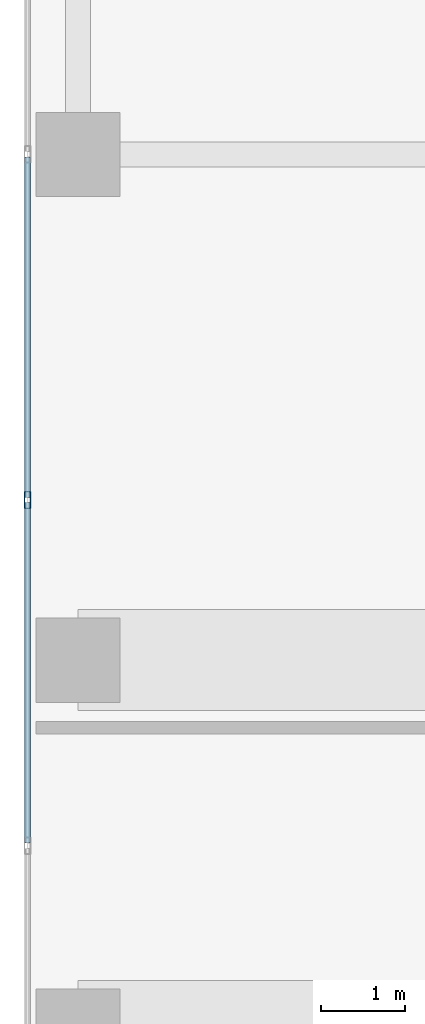
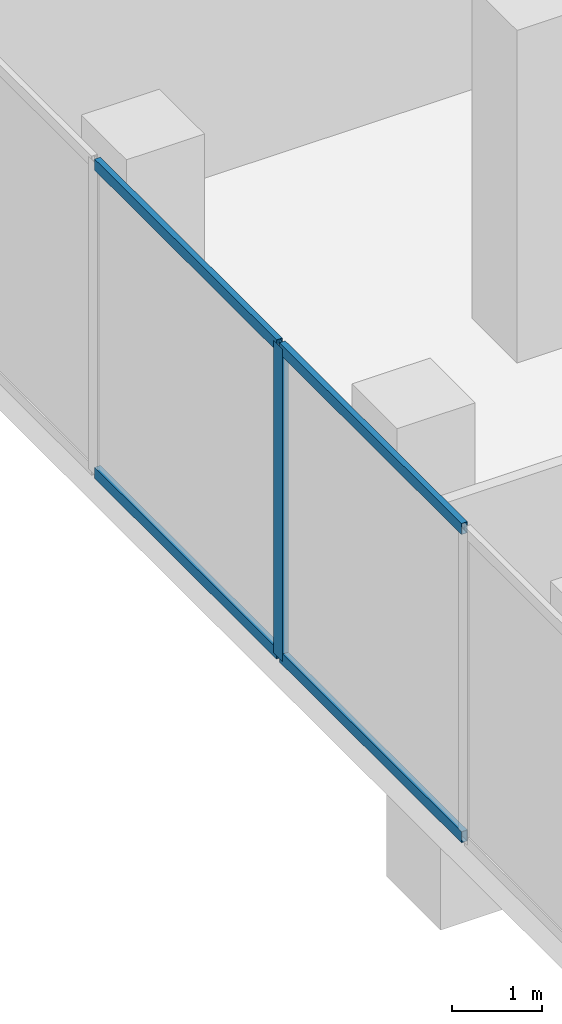
# One storey, part 6 of 24: 5 members, 1 element without a shape of its own.
"""IFC4 building model written with IfcOpenShell, lengths in metres."""

from ifc_helpers import new_model, si_unit, direction, frame, origin, origin_2d, place, context, subcontext, project, spatial, hollow_rectangle, extrude, material, layer, layer_set, material_profile, profile_set, type_object, element, aggregate, save


model = new_model("IFC4")

# Units and contexts
model_context = context("Model", 3, precision=1e-05, world=origin(), true_north=direction((0.0, 1.0)))
body_context = subcontext(model_context, "Body", "Model", "MODEL_VIEW")
ifc_project = project(units=[si_unit("LENGTHUNIT", "METRE"), si_unit("AREAUNIT", "SQUARE_METRE"), si_unit("VOLUMEUNIT", "CUBIC_METRE"), si_unit("PLANEANGLEUNIT", "RADIAN"), si_unit("MASSUNIT", "GRAM", prefix="KILO")], contexts=[model_context])

# Site, building, storey
site_placement = place(None, origin())
site = spatial("IfcSite", under=ifc_project, at=site_placement, CompositionType="ELEMENT")
building_placement = place(site_placement, origin())
building = spatial("IfcBuilding", under=site, at=building_placement, Name="Catumbela Crestline Tower", CompositionType="ELEMENT")
storey_placement = place(building_placement, frame((0.0, 0.0, 21.3)))
storey = spatial("IfcBuildingStorey", under=building, at=storey_placement, Name="L04", CompositionType="ELEMENT", Elevation=21.3)

# Curtain wall, members
ifc_material = material(Name="Aluminium alloy AW-6060-T66", Category="aluminium")
ifc_layer = layer(ifc_material, 0.18, Name="Aluminium alloy AW-6060-T66")
ifc_layer_set = layer_set([ifc_layer], Name="Aluminium alloy AW-6060-T66")
curtain_wall_type = type_object("IfcCurtainWallType", Name="CWS-POD", PredefinedType="USERDEFINED", material=ifc_layer_set)
curtain_wall_placement = place(storey_placement, origin())
curtain_wall = element("IfcCurtainWall", 1, at=curtain_wall_placement, inside=storey, type_object=curtain_wall_type, Name="L04 Stick Curtain Wall CW-L04-E9S1", ObjectType="STICK", PredefinedType="USERDEFINED")
ifc_material_profile_1 = material_profile(ifc_material, hollow_rectangle(XDim=0.075, YDim=0.2, WallThickness=0.005, at=origin_2d()), Name="ALU 200x75x5")
ifc_profile_set_1 = profile_set([ifc_material_profile_1], Name="Aluminium alloy AW-6060-T66")
member_type_1 = type_object("IfcMemberType", Name="MUL-200X75", PredefinedType="MULLION", material=ifc_profile_set_1)
member_1_placement = place(storey_placement, frame((0.0, 19.9, 0.0), z_axis=(0.0, 0.0, 1.0), x_axis=(1.0, 0.0, 0.0)))
member_1 = element("IfcMember", 2, at=member_1_placement, type_object=member_type_1, Name="CWS-POD mullion 7", PredefinedType="MULLION", context=body_context, shape_type="SweptSolid", body=[
    extrude(hollow_rectangle(XDim=0.075, YDim=0.2, WallThickness=0.005, at=origin_2d()), origin(), (0.0, 0.0, 1.0), 4.23),
])
ifc_material_profile_2 = material_profile(ifc_material, hollow_rectangle(XDim=0.075, YDim=0.15, WallThickness=0.0045, at=origin_2d()), Name="ALU 150x75x4.5")
ifc_profile_set_2 = profile_set([ifc_material_profile_2], Name="Aluminium alloy AW-6060-T66")
member_type_2 = type_object("IfcMemberType", Name="TRN-150X75", PredefinedType="USERDEFINED", material=ifc_profile_set_2)
member_2_placement = place(storey_placement, frame((0.0, 23.9675, 0.03), z_axis=(0.0, -1.0, 0.0), x_axis=(1.0, 0.0, 0.0)))
member_2 = element("IfcMember", 3, at=member_2_placement, type_object=member_type_2, Name="CWS-POD transom 6.1", ObjectType="TRANSOM", PredefinedType="USERDEFINED", context=body_context, shape_type="SweptSolid", body=[
    extrude(hollow_rectangle(XDim=0.075, YDim=0.15, WallThickness=0.0045, at=origin_2d()), origin(), (0.0, 0.0, 1.0), 4.035),
])
member_3_placement = place(storey_placement, frame((0.0, 23.9675, 4.2), z_axis=(0.0, -1.0, 0.0), x_axis=(1.0, 0.0, 0.0)))
member_3 = element("IfcMember", 4, at=member_3_placement, type_object=member_type_2, Name="CWS-POD transom 6.2", ObjectType="TRANSOM", PredefinedType="USERDEFINED", context=body_context, shape_type="SweptSolid", body=[
    extrude(hollow_rectangle(XDim=0.075, YDim=0.15, WallThickness=0.0045, at=origin_2d()), origin(), (0.0, 0.0, 1.0), 4.035),
])
member_4_placement = place(storey_placement, frame((0.0, 19.8675, 0.03), z_axis=(0.0, -1.0, 0.0), x_axis=(1.0, 0.0, 0.0)))
member_4 = element("IfcMember", 5, at=member_4_placement, type_object=member_type_2, Name="CWS-POD transom 7.1", ObjectType="TRANSOM", PredefinedType="USERDEFINED", context=body_context, shape_type="SweptSolid", body=[
    extrude(hollow_rectangle(XDim=0.075, YDim=0.15, WallThickness=0.0045, at=origin_2d()), origin(), (0.0, 0.0, 1.0), 4.035),
])
member_5_placement = place(storey_placement, frame((0.0, 19.8675, 4.2), z_axis=(0.0, -1.0, 0.0), x_axis=(1.0, 0.0, 0.0)))
member_5 = element("IfcMember", 6, at=member_5_placement, type_object=member_type_2, Name="CWS-POD transom 7.2", ObjectType="TRANSOM", PredefinedType="USERDEFINED", context=body_context, shape_type="SweptSolid", body=[
    extrude(hollow_rectangle(XDim=0.075, YDim=0.15, WallThickness=0.0045, at=origin_2d()), origin(), (0.0, 0.0, 1.0), 4.035),
])
aggregate(curtain_wall, [member_1, member_2, member_3, member_4, member_5])

save(model, "model.ifc")
